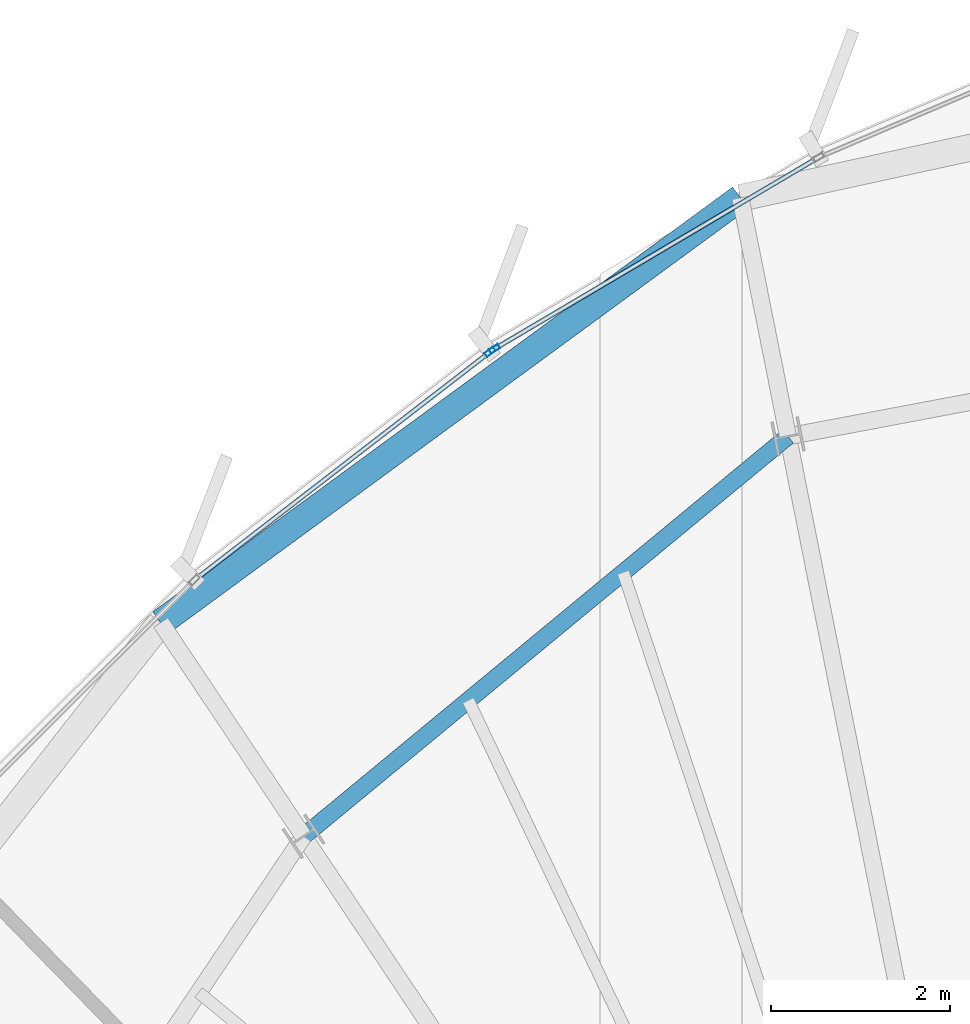
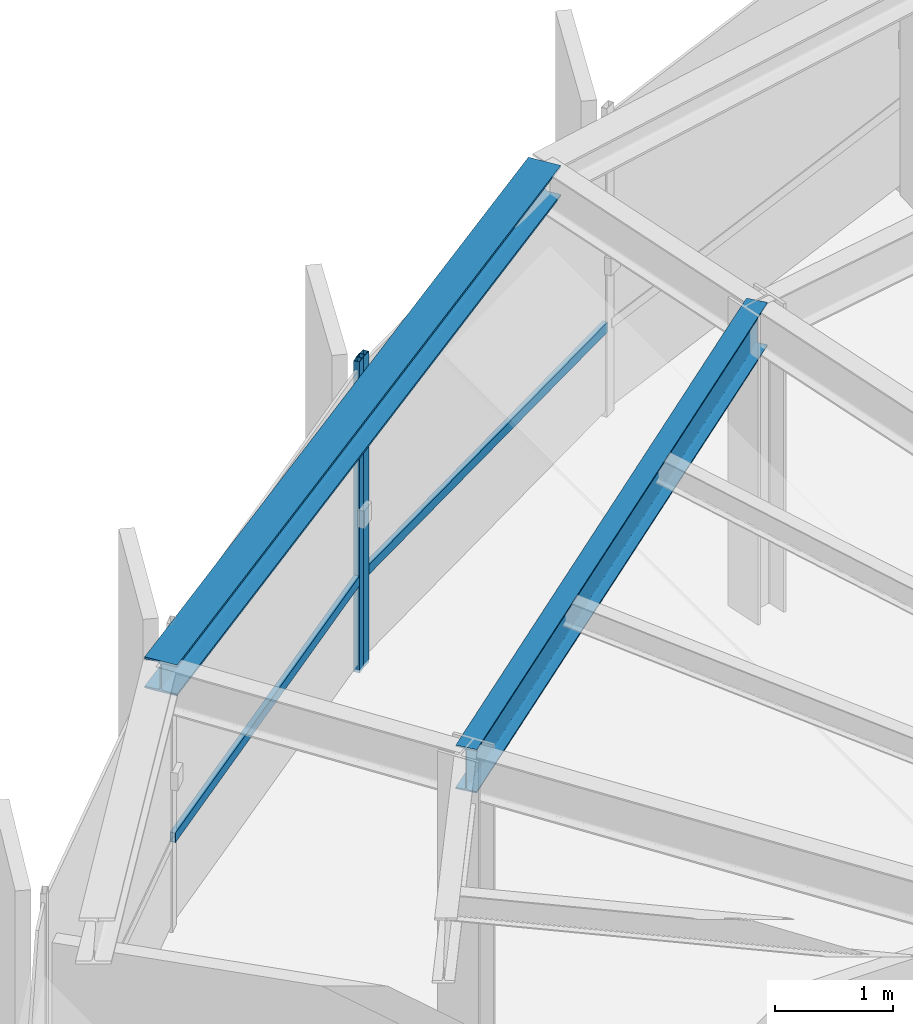
# One storey, part 19 of 34: 4 members, 2 beams, 2 elements without a shape of their own.
"""IFC4 building model written with IfcOpenShell, lengths in metres."""

from ifc_helpers import new_model, si_unit, direction, frame, origin, origin_2d, place, context, subcontext, project, spatial, hollow_rectangle, i_section, extrude, source, transform, mapped, material, layer, layer_set, material_profile, profile_set, type_object, element, aggregate, save


model = new_model("IFC4")

# Units and contexts
model_context = context("Model", 3, precision=1e-05, world=origin(), true_north=direction((0.0, 1.0)))
body_context = subcontext(model_context, "Body", "Model", "MODEL_VIEW")
ifc_project = project(units=[si_unit("LENGTHUNIT", "METRE"), si_unit("AREAUNIT", "SQUARE_METRE"), si_unit("VOLUMEUNIT", "CUBIC_METRE"), si_unit("PLANEANGLEUNIT", "RADIAN"), si_unit("MASSUNIT", "GRAM", prefix="KILO"), si_unit("THERMODYNAMICTEMPERATUREUNIT", "KELVIN")], contexts=[model_context])

# Site, building, storey
site_placement = place(None, origin())
site = spatial("IfcSite", under=ifc_project, at=site_placement, CompositionType="ELEMENT")
building_placement = place(site_placement, origin())
building = spatial("IfcBuilding", under=site, at=building_placement, Name="Kethvar Cultural Tower", CompositionType="ELEMENT")
storey_placement = place(building_placement, frame((0.0, 0.0, 262.89990234375)))
storey = spatial("IfcBuildingStorey", under=building, at=storey_placement, Name="L69", CompositionType="ELEMENT", Elevation=262.89990234375)

# Beams
ifc_material_1 = material(Name="Steel S355J2", Category="steel")
ifc_material_profile_1 = material_profile(ifc_material_1, i_section(OverallWidth=0.18994140625, OverallDepth=0.449951171875, WebThickness=0.009521484375, FlangeThickness=0.0146484375, FilletRadius=0.02099609375, at=origin_2d()), Name="Steel S355J2 — IPE450")
ifc_profile_set_1 = profile_set([ifc_material_profile_1], Name="Steel S355J2 — IPE450")
beam_type_1 = type_object("IfcBeamType", Name="BM-IPE450", PredefinedType="BEAM", material=ifc_profile_set_1)
shared_shape_1 = source(origin(), body_context, "Body", "SweptSolid", [
    extrude(i_section(OverallWidth=0.18994140625, OverallDepth=0.449951171875, WebThickness=0.009521484375, FlangeThickness=0.0146484375, FilletRadius=0.02099609375, at=origin_2d()), origin(), (0.0, 0.0, 1.0), 7.03271484375),
])
beam_1_placement = place(storey_placement, frame((43.23291015625, 45.732421875, 2.983154296875), z_axis=(-0.771161072103, -0.636640087391, 0.0), x_axis=(0.636640087391, -0.771161072103, 0.0)))
element("IfcBeam", 1, at=beam_1_placement, inside=storey, type_object=beam_type_1, Name="L69 Column Ring Tie Beam CR-05", PredefinedType="BEAM", context=body_context, shape_type="MappedRepresentation", body=[
    mapped(shared_shape_1, transform((0.0, 0.0, 0.0), scale=1.0)),
])
ifc_material_profile_2 = material_profile(ifc_material_1, i_section(OverallWidth=0.300048828125, OverallDepth=0.320068359375, WebThickness=0.011474609375, FlangeThickness=0.0205078125, FilletRadius=0.027099609375, at=origin_2d()), Name="Steel S355J2 — HEB320")
ifc_profile_set_2 = profile_set([ifc_material_profile_2], Name="Steel S355J2 — HEB320")
beam_type_2 = type_object("IfcBeamType", Name="BM-SP320", PredefinedType="SPANDREL", material=ifc_profile_set_2)
shared_shape_2 = source(origin(), body_context, "Body", "SweptSolid", [
    extrude(i_section(OverallWidth=0.300048828125, OverallDepth=0.320068359375, WebThickness=0.011474609375, FlangeThickness=0.0205078125, FilletRadius=0.027099609375, at=origin_2d()), origin(), (0.0, 0.0, 1.0), 8.04638671875),
])
beam_2_placement = place(storey_placement, frame((42.70166015625, 48.403076171875, 3.048095703125), z_axis=(-0.806656686313, -0.591020296121, 0.0), x_axis=(0.591020296121, -0.806656686313, 0.0)))
element("IfcBeam", 2, at=beam_2_placement, inside=storey, type_object=beam_type_2, Name="L69 Perimeter Spandrel Beam SP-05", PredefinedType="SPANDREL", context=body_context, shape_type="MappedRepresentation", body=[
    mapped(shared_shape_2, transform((0.0, 0.0, 0.0), scale=1.0)),
])

# Curtain wall, member
ifc_material_2 = material(Name="Aluminium 6063-T6", Category="aluminium")
ifc_layer = layer(ifc_material_2, 0.179931640625, Name="Aluminium 6063-T6", Category="aluminium")
ifc_layer_set = layer_set([ifc_layer], Name="Aluminium 6063-T6 (180 mm)")
curtain_wall_type = type_object("IfcCurtainWallType", Name="CW-SYS-05-Z56", PredefinedType="NOTDEFINED", material=ifc_layer_set)
curtain_wall_1_placement = place(storey_placement, origin())
curtain_wall_1 = element("IfcCurtainWall", 3, at=curtain_wall_1_placement, inside=storey, type_object=curtain_wall_type, Name="L69 Curtain Wall Run 01", PredefinedType="NOTDEFINED")
ifc_material_profile_3 = material_profile(ifc_material_2, hollow_rectangle(XDim=0.054931640625, YDim=0.1201171875, WallThickness=0.00390625, at=origin_2d()), Name="Aluminium 6063-T6 — RHS120x55x4")
ifc_profile_set_3 = profile_set([ifc_material_profile_3], Name="Aluminium 6063-T6 — RHS120x55x4")
member_type_1 = type_object("IfcMemberType", Name="CW-SYS-05-Z56-MUL", PredefinedType="MULLION", material=ifc_profile_set_3)
shared_shape_3 = source(origin(), body_context, "Body", "SweptSolid", [
    extrude(hollow_rectangle(XDim=0.054931640625, YDim=0.1201171875, WallThickness=0.00390625, at=origin_2d()), origin(), (0.0, 0.0, 1.0), 3.210205078125),
])
member_1_placement = place(storey_placement, frame((39.94775390625, 46.71240234375, 0.0), z_axis=(0.0, 0.0, 1.0), x_axis=(0.508695850751, -0.860946299968, 0.0)))
member_1 = element("IfcMember", 4, at=member_1_placement, type_object=member_type_1, Name="CW-L69-R01 Mullion 7", PredefinedType="MULLION", context=body_context, shape_type="MappedRepresentation", body=[
    mapped(shared_shape_3, transform((0.0, 0.0, 0.0), scale=1.0)),
])

curtain_wall_2_placement = place(storey_placement, origin())
curtain_wall_2 = element("IfcCurtainWall", 5, at=curtain_wall_2_placement, inside=storey, type_object=curtain_wall_type, Name="L69 Curtain Wall Run 02", PredefinedType="NOTDEFINED")
member_2_placement = place(storey_placement, frame((39.89892578125, 46.67919921875, 0.0), z_axis=(0.0, 0.0, 1.0), x_axis=(0.61107122674, -0.791575616003, 0.0)))
member_2 = element("IfcMember", 6, at=member_2_placement, type_object=member_type_1, Name="CW-L69-R02 Mullion 1", PredefinedType="MULLION", context=body_context, shape_type="MappedRepresentation", body=[
    mapped(shared_shape_3, transform((0.0, 0.0, 0.0), scale=1.0)),
])

# Member
ifc_material_profile_4 = material_profile(ifc_material_2, hollow_rectangle(XDim=0.050048828125, YDim=0.10009765625, WallThickness=0.00390625, at=origin_2d()), Name="Aluminium 6063-T6 — RHS100x50x4")
ifc_profile_set_4 = profile_set([ifc_material_profile_4], Name="Aluminium 6063-T6 — RHS100x50x4")
member_type_2 = type_object("IfcMemberType", Name="CW-SYS-05-Z56-TRN", PredefinedType="USERDEFINED", material=ifc_profile_set_4)
shared_shape_4 = source(origin(), body_context, "Body", "SweptSolid", [
    extrude(hollow_rectangle(XDim=0.050048828125, YDim=0.10009765625, WallThickness=0.00390625, at=origin_2d()), origin(), (0.0, 0.0, 1.0), 4.1728515625),
])
member_3_placement = place(storey_placement, frame((43.543701171875, 48.8369140625, 0.9501953125), z_axis=(-0.860932351991, -0.508719456375, 0.0), x_axis=(0.508719456375, -0.860932351991, 0.0)))
member_3 = element("IfcMember", 7, at=member_3_placement, type_object=member_type_2, Name="CW-L69-R01 Transom 6", ObjectType="TRANSOM", PredefinedType="USERDEFINED", context=body_context, shape_type="MappedRepresentation", body=[
    mapped(shared_shape_4, transform((0.0, 0.0, 0.0), scale=1.0)),
])

aggregate(curtain_wall_1, [member_1, member_3])

shared_shape_5 = source(origin(), body_context, "Body", "SweptSolid", [
    extrude(hollow_rectangle(XDim=0.050048828125, YDim=0.10009765625, WallThickness=0.00390625, at=origin_2d()), origin(), (0.0, 0.0, 1.0), 4.150634765625),
])
member_4_placement = place(storey_placement, frame((39.89599609375, 46.6767578125, 0.9501953125), z_axis=(-0.791557874565, -0.611094208134, 0.0), x_axis=(0.611094208134, -0.791557874565, 0.0)))
member_4 = element("IfcMember", 8, at=member_4_placement, type_object=member_type_2, Name="CW-L69-R02 Transom 1", ObjectType="TRANSOM", PredefinedType="USERDEFINED", context=body_context, shape_type="MappedRepresentation", body=[
    mapped(shared_shape_5, transform((0.0, 0.0, 0.0), scale=1.0)),
])

aggregate(curtain_wall_2, [member_2, member_4])

save(model, "model.ifc")
